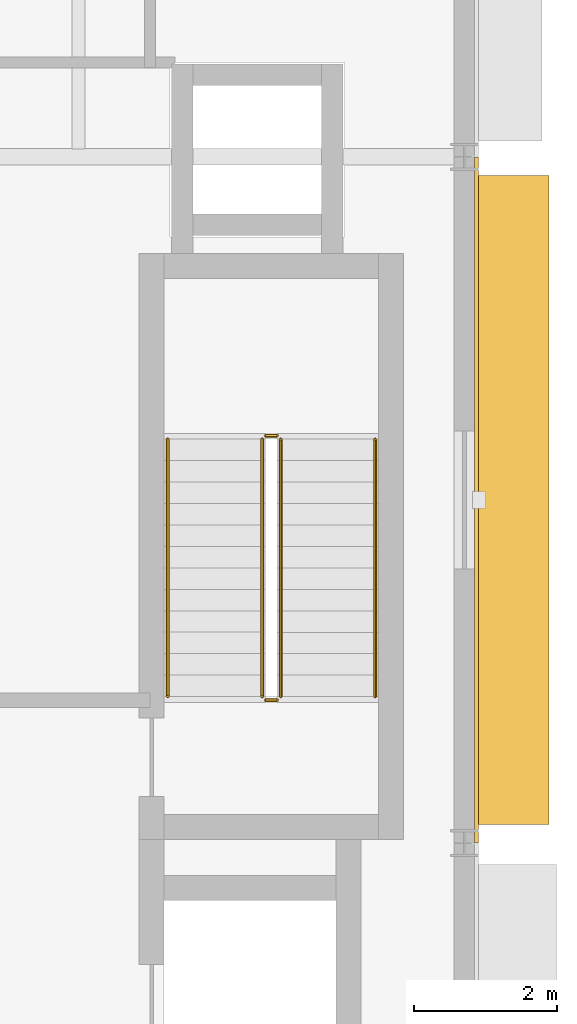
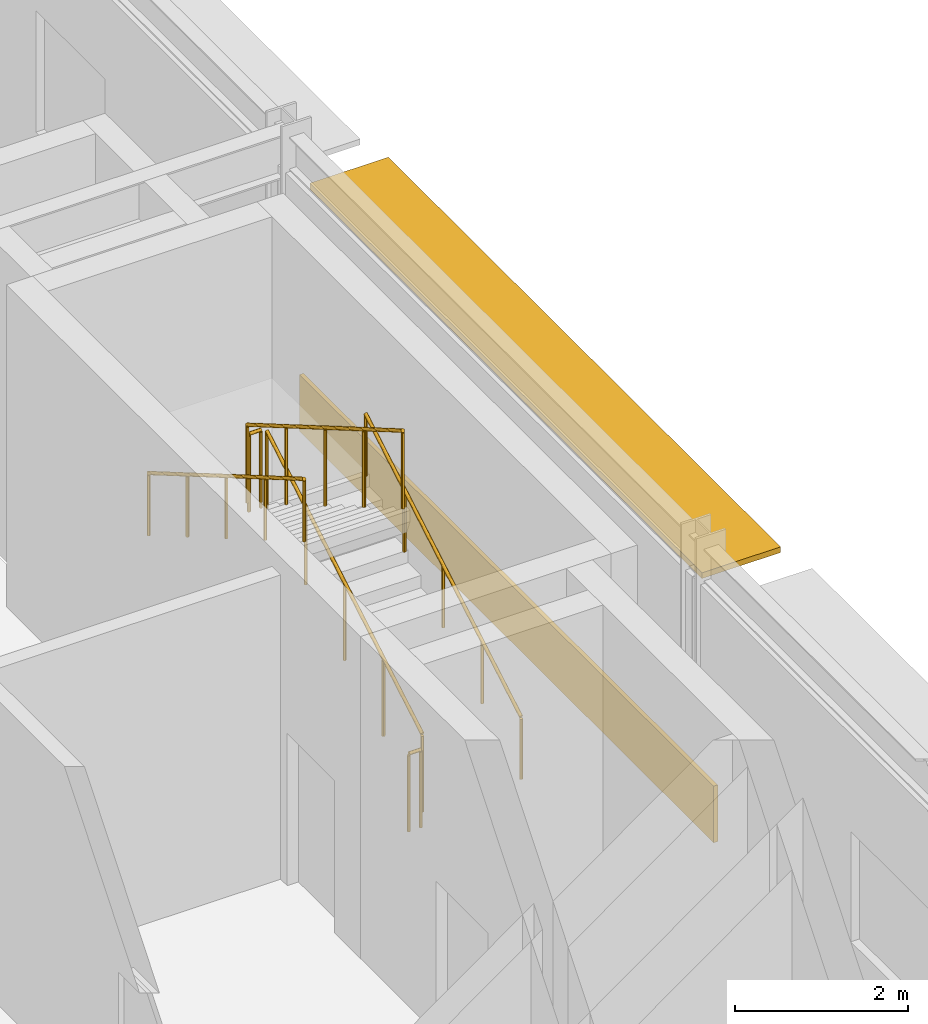
# One storey, part 113 of 116: 6 railings, 1 covering, 1 shading device.
"""IFC4 building model written with IfcOpenShell, lengths in metres."""

import ifcopenshell
import ifcopenshell.guid

model = None  # the IFC model being written
_history = None  # IfcOwnerHistory: only IFC2X3 demands one
_inside = {}  # id of a spatial element -> (the spatial element, [elements in it])
_under = {}  # id of a project, library or spatial element -> (it, [spatial elements below it])
_declared = {}  # id of a project -> (the project, [libraries it declares])
_typed = {}  # id of a type object -> (the type object, [elements of that type])
_made_of = {}  # id of a material, layer set ... -> (it, [elements and type objects made of it])


def new_model(schema):
    """Start an empty IFC model of exactly this schema.

    Asked for "IFC4X3", IfcOpenShell would pick the latest addendum, in which some entities
    have other attributes; the version numbers below select the first issue.
    IFC2X3 requires an IfcOwnerHistory on every rooted entity: one is made here for all.
    """
    global model, _history
    if schema == "IFC4X3":
        model = ifcopenshell.file(schema_version=(4, 3, 0, 0))
    else:
        model = ifcopenshell.file(schema=schema)
    _inside.clear()
    _under.clear()
    _declared.clear()
    _typed.clear()
    _made_of.clear()
    _history = None
    if model.schema == "IFC2X3":
        org = make("IfcOrganization", Name="unknown")
        user = make(
            "IfcPersonAndOrganization",
            ThePerson=make("IfcPerson", FamilyName="unknown"),
            TheOrganization=org,
        )
        app = make(
            "IfcApplication",
            ApplicationDeveloper=org,
            Version="unknown",
            ApplicationFullName="unknown",
            ApplicationIdentifier="unknown",
        )
        _history = make(
            "IfcOwnerHistory",
            OwningUser=user,
            OwningApplication=app,
            ChangeAction="ADDED",
            CreationDate=0,
        )
    return model


def make(cls, **values):
    """One entity of the class cls with the attributes given. An attribute that is None is left unset."""
    return model.create_entity(
        cls, **{name: value for name, value in values.items() if value is not None}
    )


def rooted(cls, **values):
    """An entity with a GlobalId (a new one), such as an element, a storey or a relation."""
    return make(cls, GlobalId=ifcopenshell.guid.new(), OwnerHistory=_history, **values)


def si_unit(unit_type, name, prefix=None):
    """IfcSIUnit, for example si_unit("LENGTHUNIT", "METRE", prefix="MILLI")."""
    return make("IfcSIUnit", UnitType=unit_type, Prefix=prefix, Name=name)


def assignment(units):
    """IfcUnitAssignment: the units of a project."""
    return None if units is None else make("IfcUnitAssignment", Units=units)


def point(xyz):
    """IfcCartesianPoint."""
    return None if xyz is None else make("IfcCartesianPoint", Coordinates=xyz)


def direction(xyz):
    """IfcDirection."""
    return None if xyz is None else make("IfcDirection", DirectionRatios=xyz)


def frame(location, z_axis=None, x_axis=None):
    """IfcAxis2Placement3D, a coordinate frame: its origin and axes. An axis left out is left unset."""
    return make(
        "IfcAxis2Placement3D",
        Location=point(location),
        Axis=direction(z_axis),
        RefDirection=direction(x_axis),
    )


def frame_2d(location, x_axis=None):
    """IfcAxis2Placement2D, a coordinate frame in the plane: its origin and x axis."""
    return make(
        "IfcAxis2Placement2D", Location=point(location), RefDirection=direction(x_axis)
    )


def origin():
    """The frame at (0, 0, 0) with its axes left unset."""
    return frame((0.0, 0.0, 0.0))


def origin_2d():
    """The frame at (0, 0) in the plane with its x axis left unset."""
    return frame_2d((0.0, 0.0))


def place(relative_to, where):
    """IfcLocalPlacement: puts the frame where relative to a parent placement (None: the world)."""
    return make(
        "IfcLocalPlacement", PlacementRelTo=relative_to, RelativePlacement=where
    )


def context(
    kind, dimensions, precision=None, world=None, true_north=None, identifier=None
):
    """IfcGeometricRepresentationContext, for example the 3D "Model" context."""
    return make(
        "IfcGeometricRepresentationContext",
        ContextIdentifier=identifier,
        ContextType=kind,
        CoordinateSpaceDimension=dimensions,
        Precision=precision,
        WorldCoordinateSystem=world,
        TrueNorth=true_north,
    )


def subcontext(parent, identifier, kind, view, scale=None):
    """IfcGeometricRepresentationSubContext, for example "Body" below "Model"."""
    return make(
        "IfcGeometricRepresentationSubContext",
        ContextIdentifier=identifier,
        ContextType=kind,
        ParentContext=parent,
        TargetScale=scale,
        TargetView=view,
    )


def project(units=None, contexts=None):
    """IfcProject with its units and contexts."""
    return rooted(
        "IfcProject",
        Name="project",
        RepresentationContexts=contexts,
        UnitsInContext=assignment(units),
    )


def spatial(cls, under=None, at=None, **own):
    """A site, building, storey or space (cls), placed at a placement, below another one or the project."""
    s = rooted(cls, ObjectPlacement=at, **own)
    if under is not None:
        _under.setdefault(under.id(), (under, []))[1].append(s)
    return s


def profile(cls, at=None, kind="AREA", **sizes):
    """A parametric profile (cls). Its sizes go by their IFC names, for example OverallWidth=200.0."""
    return make(cls, ProfileType=kind, Position=at, **sizes)


def rectangle(**sizes):
    """IfcRectangleProfileDef."""
    return profile("IfcRectangleProfileDef", **sizes)


def circle(**sizes):
    """IfcCircleProfileDef."""
    return profile("IfcCircleProfileDef", **sizes)


def extrude(swept, where, along, depth):
    """IfcExtrudedAreaSolid: the profile swept, set in the frame where, extruded along a direction by depth."""
    return make(
        "IfcExtrudedAreaSolid",
        SweptArea=swept,
        Position=where,
        ExtrudedDirection=direction(along),
        Depth=depth,
    )


def shape(context_of_items, identifier, shape_type, items):
    """IfcShapeRepresentation: the items that make up one representation, for example the "Body"."""
    return make(
        "IfcShapeRepresentation",
        ContextOfItems=context_of_items,
        RepresentationIdentifier=identifier,
        RepresentationType=shape_type,
        Items=items,
    )


def material(Name=None, Category=None):
    """IfcMaterial."""
    return make("IfcMaterial", Name=Name, Category=Category)


def layer(
    of_material, thickness, ventilated=None, Name=None, Category=None, Priority=None
):
    """IfcMaterialLayer: one layer of a wall or slab, of a material (None: an air gap)."""
    return make(
        "IfcMaterialLayer",
        Material=of_material,
        LayerThickness=thickness,
        IsVentilated=ventilated,
        Name=Name,
        Category=Category,
        Priority=Priority,
    )


def layer_set(layers, Name=None):
    """IfcMaterialLayerSet."""
    return make("IfcMaterialLayerSet", MaterialLayers=layers, LayerSetName=Name)


def made_of(thing, what):
    """Note that an element or type object is made of a material, layer set ...; save() writes the relation."""
    if what is not None:
        _made_of.setdefault(what.id(), (what, []))[1].append(thing)
    return thing


def type_object(cls, material=None, **own):
    """A type object (cls), such as IfcWallType, which elements share."""
    return made_of(rooted(cls, **own), material)


def element(
    cls,
    number,
    at=None,
    inside=None,
    cuts=None,
    type_object=None,
    material=None,
    context=None,
    identifier="Body",
    shape_type=None,
    held_by="IfcProductDefinitionShape",
    body=None,
    shapes=None,
    **own,
):
    """One element of the class cls, such as IfcWall. Its Tag is "e" and its number.

    at: its placement. inside: the storey or other place that contains it. cuts: it is an
    opening in that element (IfcRelVoidsElement). A single representation is given by context,
    identifier, shape_type and body (its items); several are given by shapes. held_by: the class
    of the entity that holds the representations. save() writes the other relations.
    """
    e = rooted(cls, Tag="e%d" % number, ObjectPlacement=at, **own)
    if body is not None:
        shapes = [shape(context, identifier, shape_type, body)]
    if shapes is not None:
        e.Representation = make(held_by, Representations=shapes)
    if inside is not None:
        _inside.setdefault(inside.id(), (inside, []))[1].append(e)
    if cuts is not None:
        rooted(
            "IfcRelVoidsElement", RelatingBuildingElement=cuts, RelatedOpeningElement=e
        )
    if type_object is not None:
        _typed.setdefault(type_object.id(), (type_object, []))[1].append(e)
    return made_of(e, material)


def aggregate(whole, parts):
    """IfcRelAggregates: a whole, such as a stair, and the parts it consists of."""
    return rooted("IfcRelAggregates", RelatingObject=whole, RelatedObjects=parts)


def save(model, path):
    """Write the relations noted so far, then the file.

    IfcRelAggregates (storeys below a building ...), IfcRelContainedInSpatialStructure (elements
    in a storey), IfcRelDefinesByType, IfcRelAssociatesMaterial and IfcRelDeclares: one each for
    every whole, place, type object, material and project.
    """
    for whole, parts in _under.values():
        aggregate(whole, parts)
    for where, things in _inside.values():
        rooted(
            "IfcRelContainedInSpatialStructure",
            RelatedElements=things,
            RelatingStructure=where,
        )
    for kind, things in _typed.values():
        rooted("IfcRelDefinesByType", RelatedObjects=things, RelatingType=kind)
    for what, things in _made_of.values():
        rooted("IfcRelAssociatesMaterial", RelatedObjects=things, RelatingMaterial=what)
    for by, libraries in _declared.values():
        rooted("IfcRelDeclares", RelatingContext=by, RelatedDefinitions=libraries)
    model.write(path)


model = new_model("IFC4")

# Units and contexts
model_context = context("Model", 3, precision=1e-05, world=origin(), true_north=direction((0.0, 1.0)))
body_context = subcontext(model_context, "Body", "Model", "MODEL_VIEW")
ifc_project = project(units=[si_unit("LENGTHUNIT", "METRE"), si_unit("AREAUNIT", "SQUARE_METRE"), si_unit("VOLUMEUNIT", "CUBIC_METRE"), si_unit("PLANEANGLEUNIT", "RADIAN"), si_unit("MASSUNIT", "GRAM", prefix="KILO")], contexts=[model_context])

# Site, building, storey
site_placement = place(None, origin())
site = spatial("IfcSite", under=ifc_project, at=site_placement, CompositionType="ELEMENT")
building_placement = place(site_placement, origin())
building = spatial("IfcBuilding", under=site, at=building_placement, Name="Almandine Court Research Institute", CompositionType="ELEMENT")
storey_placement = place(building_placement, frame((0.0, 0.0, 14.35009765625)))
storey = spatial("IfcBuildingStorey", under=building, at=storey_placement, Name="L03", CompositionType="ELEMENT", Elevation=14.35009765625)

# Covering
ifc_material_1 = material(Name="Extruded Cream-Ochre Seismic Terracotta Spandrel", Category="masonry")
ifc_layer_1 = layer(ifc_material_1, 0.054931640625)
ifc_layer_set_1 = layer_set([ifc_layer_1], Name="Extruded Cream-Ochre Seismic Terracotta Spandrel")
covering_type = type_object("IfcCoveringType", Name="Cov-CLAD-TERR", PredefinedType="CLADDING", material=ifc_layer_set_1)
covering_placement = place(storey_placement, frame((174.1708984375, 30.0, 0.02001953125), z_axis=(0.0, 0.0, 1.0), x_axis=(0.0, -1.0, 0.0)))
element("IfcCovering", 1, at=covering_placement, inside=storey, type_object=covering_type, Name="L03 Facade Spandrel Cladding Band 165", PredefinedType="CLADDING", context=body_context, shape_type="SweptSolid", body=[
    extrude(rectangle(XDim=9.592041015625, YDim=0.054931640625, at=origin_2d()), origin(), (0.0, 0.0, 1.0), 0.800048828125),
])

# Railings
ifc_material_2 = material(Name="Powder-Coated Steel Stair and Atrium Balustrade", Category="steel")
railing_type_1 = type_object("IfcRailingType", Name="Rail-GUARD-INT", PredefinedType="BALUSTRADE", material=ifc_material_2)
railing_1_placement = place(storey_placement, frame((171.429931640625, 27.25, 0.1748046875)))
element("IfcRailing", 2, at=railing_1_placement, inside=storey, type_object=railing_type_1, Name="L03 ST-07 stair guard 1", PredefinedType="BALUSTRADE", context=body_context, shape_type="SweptSolid", body=[
    extrude(circle(Radius=0.02392578125, at=origin_2d()), frame((0.0, 0.0, 1.09619140625), z_axis=(0.0, 0.863774651768, 0.503878309678), x_axis=(-1.0, 0.0, 0.0)), (0.0, 0.0, 1.0), 4.16796875),
    extrude(circle(Radius=0.02099609375, at=origin_2d()), origin(), (0.0, 0.0, 1.0), 1.072021484375),
    extrude(circle(Radius=0.02099609375, at=origin_2d()), frame((0.0, 0.89990234375, 0.52490234375)), (0.0, 0.0, 1.0), 1.072021484375),
    extrude(circle(Radius=0.02099609375, at=origin_2d()), frame((0.0, 1.800048828125, 1.050048828125)), (0.0, 0.0, 1.0), 1.072021484375),
    extrude(circle(Radius=0.02099609375, at=origin_2d()), frame((0.0, 2.7001953125, 1.5751953125)), (0.0, 0.0, 1.0), 1.072021484375),
    extrude(circle(Radius=0.02099609375, at=origin_2d()), frame((0.0, 3.60009765625, 2.10009765625)), (0.0, 0.0, 1.0), 1.072021484375),
])
railing_2_placement = place(storey_placement, frame((171.3798828125, 30.89990234375, 2.27490234375)))
element("IfcRailing", 3, at=railing_2_placement, inside=storey, type_object=railing_type_1, Name="L03 ST-07 stair guard 2", PredefinedType="BALUSTRADE", context=body_context, shape_type="SweptSolid", body=[
    extrude(circle(Radius=0.02392578125, at=origin_2d()), frame((0.0, 0.0, 1.09619140625), z_axis=(-1.0, 0.0, 0.0), x_axis=(0.0, -1.0, 0.0)), (0.0, 0.0, 1.0), 0.159912109375),
    extrude(circle(Radius=0.02099609375, at=origin_2d()), origin(), (0.0, 0.0, 1.0), 1.072021484375),
    extrude(circle(Radius=0.02099609375, at=origin_2d()), frame((-0.159912109375, 0.0, 0.0)), (0.0, 0.0, 1.0), 1.072021484375),
])
railing_3_placement = place(storey_placement, frame((171.169921875, 30.85009765625, 2.449951171875)))
element("IfcRailing", 4, at=railing_3_placement, inside=storey, type_object=railing_type_1, Name="L03 ST-07 stair guard 3", PredefinedType="BALUSTRADE", context=body_context, shape_type="SweptSolid", body=[
    extrude(circle(Radius=0.02392578125, at=origin_2d()), frame((0.0, 0.0, 1.09619140625), z_axis=(0.0, -0.863800146258, 0.503834603144), x_axis=(1.0, 0.0, 0.0)), (0.0, 0.0, 1.0), 4.167724609375),
    extrude(circle(Radius=0.02099609375, at=origin_2d()), origin(), (0.0, 0.0, 1.0), 1.072021484375),
    extrude(circle(Radius=0.02099609375, at=origin_2d()), frame((0.0, -0.89990234375, 0.52490234375)), (0.0, 0.0, 1.0), 1.072021484375),
    extrude(circle(Radius=0.02099609375, at=origin_2d()), frame((0.0, -1.800048828125, 1.0498046875)), (0.0, 0.0, 1.0), 1.072021484375),
    extrude(circle(Radius=0.02099609375, at=origin_2d()), frame((0.0, -2.7001953125, 1.574951171875)), (0.0, 0.0, 1.0), 1.072021484375),
    extrude(circle(Radius=0.02099609375, at=origin_2d()), frame((0.0, -3.60009765625, 2.099853515625)), (0.0, 0.0, 1.0), 1.072021484375),
])
railing_4_placement = place(storey_placement, frame((171.3798828125, 27.199951171875, 0.0)))
element("IfcRailing", 5, at=railing_4_placement, inside=storey, type_object=railing_type_1, Name="L03 ST-07 stair guard 4", PredefinedType="BALUSTRADE", context=body_context, shape_type="SweptSolid", body=[
    extrude(circle(Radius=0.02392578125, at=origin_2d()), frame((0.0, 0.0, 1.09619140625), z_axis=(-1.0, 0.0, 0.0), x_axis=(0.0, -1.0, 0.0)), (0.0, 0.0, 1.0), 0.159912109375),
    extrude(circle(Radius=0.02099609375, at=origin_2d()), origin(), (0.0, 0.0, 1.0), 1.072021484375),
    extrude(circle(Radius=0.02099609375, at=origin_2d()), frame((-0.159912109375, 0.0, 0.0)), (0.0, 0.0, 1.0), 1.072021484375),
])
ifc_material_3 = material(Name="Brushed Stainless Steel Wall Handrail", Category="steel")
railing_type_2 = type_object("IfcRailingType", Name="Rail-HAND-INT", PredefinedType="HANDRAIL", material=ifc_material_3)
railing_5_placement = place(storey_placement, frame((172.75, 27.25, 0.1748046875)))
element("IfcRailing", 6, at=railing_5_placement, inside=storey, type_object=railing_type_2, Name="L03 ST-07 stair handrail 1", PredefinedType="HANDRAIL", context=body_context, shape_type="SweptSolid", body=[
    extrude(circle(Radius=0.02392578125, at=origin_2d()), frame((0.0, 0.0, 0.8759765625), z_axis=(0.0, 0.863774651768, 0.503878309678), x_axis=(-1.0, 0.0, 0.0)), (0.0, 0.0, 1.0), 4.16796875),
    extrude(circle(Radius=0.02099609375, at=origin_2d()), origin(), (0.0, 0.0, 1.0), 0.851806640625),
    extrude(circle(Radius=0.02099609375, at=origin_2d()), frame((0.0, 0.89990234375, 0.52490234375)), (0.0, 0.0, 1.0), 0.851806640625),
    extrude(circle(Radius=0.02099609375, at=origin_2d()), frame((0.0, 1.800048828125, 1.050048828125)), (0.0, 0.0, 1.0), 0.851806640625),
    extrude(circle(Radius=0.02099609375, at=origin_2d()), frame((0.0, 2.7001953125, 1.5751953125)), (0.0, 0.0, 1.0), 0.851806640625),
    extrude(circle(Radius=0.02099609375, at=origin_2d()), frame((0.0, 3.60009765625, 2.10009765625)), (0.0, 0.0, 1.0), 0.851806640625),
])
railing_6_placement = place(storey_placement, frame((169.85009765625, 30.85009765625, 2.449951171875)))
element("IfcRailing", 7, at=railing_6_placement, inside=storey, type_object=railing_type_2, Name="L03 ST-07 stair handrail 2", PredefinedType="HANDRAIL", context=body_context, shape_type="SweptSolid", body=[
    extrude(circle(Radius=0.02392578125, at=origin_2d()), frame((0.0, 0.0, 0.8759765625), z_axis=(0.0, -0.863800146258, 0.503834603144), x_axis=(1.0, 0.0, 0.0)), (0.0, 0.0, 1.0), 4.167724609375),
    extrude(circle(Radius=0.02099609375, at=origin_2d()), origin(), (0.0, 0.0, 1.0), 0.851806640625),
    extrude(circle(Radius=0.02099609375, at=origin_2d()), frame((0.0, -0.89990234375, 0.52490234375)), (0.0, 0.0, 1.0), 0.851806640625),
    extrude(circle(Radius=0.02099609375, at=origin_2d()), frame((0.0, -1.800048828125, 1.0498046875)), (0.0, 0.0, 1.0), 0.851806640625),
    extrude(circle(Radius=0.02099609375, at=origin_2d()), frame((0.0, -2.7001953125, 1.574951171875)), (0.0, 0.0, 1.0), 0.851806640625),
    extrude(circle(Radius=0.02099609375, at=origin_2d()), frame((0.0, -3.60009765625, 2.099853515625)), (0.0, 0.0, 1.0), 0.851806640625),
])

# Shading device
ifc_material_4 = material(Name="Precast GFRC Chhajja Sunshade and Acoustic Louvre", Category="concrete")
ifc_layer_2 = layer(ifc_material_4, 0.080078125)
ifc_layer_set_2 = layer_set([ifc_layer_2], Name="Precast GFRC Chhajja Sunshade and Acoustic Louvre")
shading_device_type = type_object("IfcShadingDeviceType", Name="Shd-SD-06", PredefinedType="AWNING", material=ifc_layer_set_2)
shading_device_placement = place(storey_placement, frame((174.659912109375, 30.0, 3.603759765625), z_axis=(0.0, 0.0, 1.0), x_axis=(0.0, -1.0, 0.0)))
element("IfcShadingDevice", 8, at=shading_device_placement, inside=storey, type_object=shading_device_type, Name="L03 Projecting Chhajja Sunshade 114", PredefinedType="AWNING", context=body_context, shape_type="SweptSolid", body=[
    extrude(rectangle(XDim=9.08203125, YDim=1.050048828125, at=origin_2d()), origin(), (0.0, 0.0, 1.0), 0.080078125),
])

save(model, "model.ifc")
